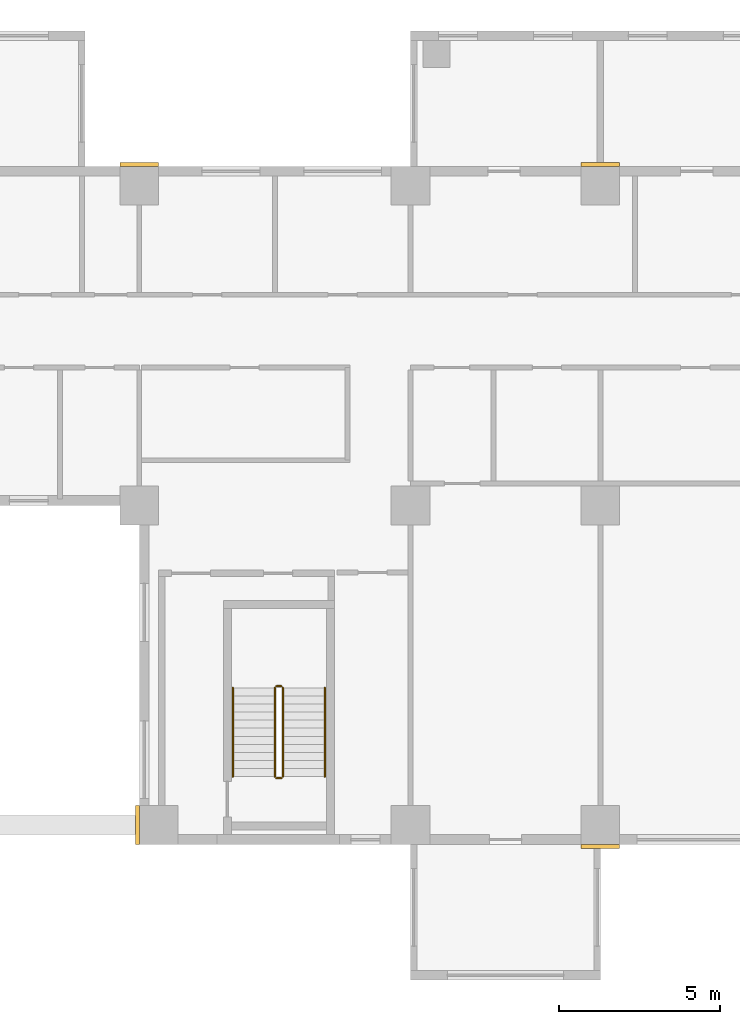
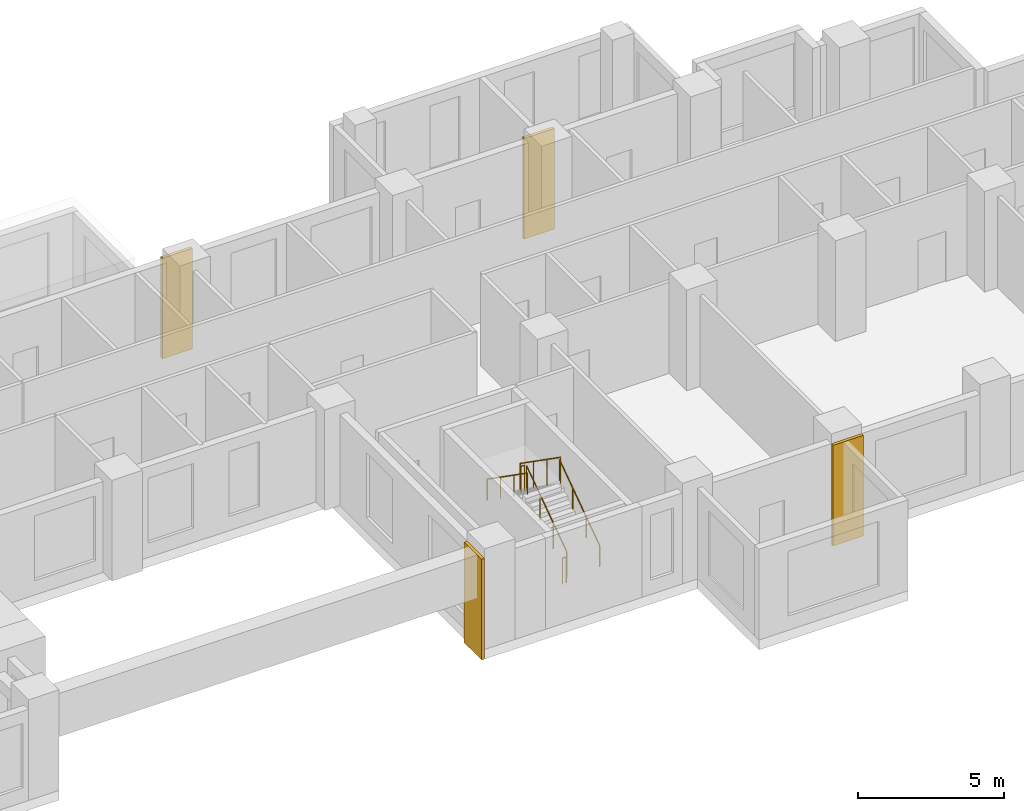
# One storey, part 12 of 14: 6 railings, 4 coverings.
"""IFC4 building model written with IfcOpenShell, lengths in metres."""

from ifc_helpers import new_model, si_unit, direction, frame, origin, origin_2d, place, context, subcontext, project, spatial, rectangle, circle, extrude, source, transform, mapped, material, type_object, element, save


model = new_model("IFC4")

# Units and contexts
model_context = context("Model", 3, precision=1e-05, world=origin(), true_north=direction((0.0, 1.0)))
body_context = subcontext(model_context, "Body", "Model", "MODEL_VIEW")
ifc_project = project(units=[si_unit("LENGTHUNIT", "METRE"), si_unit("AREAUNIT", "SQUARE_METRE"), si_unit("VOLUMEUNIT", "CUBIC_METRE"), si_unit("PLANEANGLEUNIT", "RADIAN"), si_unit("MASSUNIT", "GRAM", prefix="KILO")], contexts=[model_context])

# Site, building, storey
site_placement = place(None, origin())
site = spatial("IfcSite", under=ifc_project, at=site_placement, CompositionType="ELEMENT")
building_placement = place(site_placement, origin())
building = spatial("IfcBuilding", under=site, at=building_placement, Name="Aurelian Terraces", CompositionType="ELEMENT")
storey_placement = place(building_placement, frame((0.0, 0.0, 57.3)))
storey = spatial("IfcBuildingStorey", under=building, at=storey_placement, Name="L11", CompositionType="ELEMENT", Elevation=57.3)

# Coverings
ifc_material_1 = material(Name="Terracotta rainscreen cladding relief", Category="masonry")
covering_type = type_object("IfcCoveringType", Name="BAGUETTE-TC", PredefinedType="CLADDING", material=ifc_material_1)
shared_shape_1 = source(origin(), body_context, "Body", "SweptSolid", [
    extrude(rectangle(XDim=1.2, YDim=0.12, at=origin_2d()), origin(), (0.0, 0.0, 1.0), 4.2),
])
for number, where, z_axis, x_axis, name in (
    (1, (52.08, -0.06, -0.4), (0.0, 0.0, 1.0), (1.0, 0.0, 0.0), "BAGUETTE pier L11 3"),
    (2, (37.8, 21.06, -0.4), (0.0, 0.0, 1.0), (1.0, 0.0, 0.0), "BAGUETTE pier L11 5"),
    (3, (52.08, 21.06, -0.4), (0.0, 0.0, 1.0), (1.0, 0.0, 0.0), "BAGUETTE pier L11 6"),
):
    element("IfcCovering", number, at=place(storey_placement, frame(where, z_axis=z_axis, x_axis=x_axis)), inside=storey, type_object=covering_type, Name=name, PredefinedType="CLADDING", context=body_context, shape_type="MappedRepresentation", body=[
        mapped(shared_shape_1, transform((0.0, 0.0, 0.0), scale=1.0)),
    ])
shared_shape_2 = source(origin(), body_context, "Body", "SweptSolid", [
    extrude(rectangle(XDim=0.12, YDim=1.2, at=origin_2d()), origin(), (0.0, 0.0, 1.0), 4.2),
])
covering_placement = place(storey_placement, frame((37.74, 0.6, -0.4), z_axis=(0.0, 0.0, 1.0), x_axis=(1.0, 0.0, 0.0)))
element("IfcCovering", 4, at=covering_placement, inside=storey, type_object=covering_type, Name="BAGUETTE pier L11 2", PredefinedType="CLADDING", context=body_context, shape_type="MappedRepresentation", body=[
    mapped(shared_shape_2, transform((0.0, 0.0, 0.0), scale=1.0)),
])

# Railings
ifc_material_2 = material(Name="Stainless steel", Category="steel")
railing_type_1 = type_object("IfcRailingType", Name="Stair guard 1100", PredefinedType="GUARDRAIL", material=ifc_material_2)
shared_shape_3 = source(origin(), body_context, "Body", "SweptSolid", [
    extrude(circle(Radius=0.024, at=origin_2d()), frame((0.0, 0.0, 1.076), z_axis=(-1.0, 0.0, 0.0), x_axis=(0.0, -1.0, 0.0)), (0.0, 0.0, 1.0), 0.15),
    extrude(circle(Radius=0.021, at=origin_2d()), origin(), (0.0, 0.0, 1.0), 1.052),
    extrude(circle(Radius=0.021, at=origin_2d()), frame((-0.15, 0.0, 0.0)), (0.0, 0.0, 1.0), 1.052),
])
for number, where, name in (
    (5, (42.2, 4.9, 2.1), "L11 S2 stair guard 2"),
    (6, (42.2, 2.05, 0.0), "L11 S2 stair guard 4"),
):
    element("IfcRailing", number, at=place(storey_placement, frame(where)), inside=storey, type_object=railing_type_1, Name=name, PredefinedType="GUARDRAIL", context=body_context, shape_type="MappedRepresentation", body=[
        mapped(shared_shape_3, transform((0.0, 0.0, 0.0), scale=1.0)),
    ])
shared_shape_4 = source(origin(), body_context, "Body", "SweptSolid", [
    extrude(circle(Radius=0.024, at=origin_2d()), frame((0.0, 0.0, 1.076), z_axis=(0.0, 0.819231920519, 0.573462344363), x_axis=(-1.0, 0.0, 0.0)), (0.0, 0.0, 1.0), 3.3568),
    extrude(circle(Radius=0.021, at=origin_2d()), origin(), (0.0, 0.0, 1.0), 1.052),
    extrude(circle(Radius=0.021, at=origin_2d()), frame((0.0, 0.9167, 0.6417)), (0.0, 0.0, 1.0), 1.052),
    extrude(circle(Radius=0.021, at=origin_2d()), frame((0.0, 1.8333, 1.2833)), (0.0, 0.0, 1.0), 1.052),
    extrude(circle(Radius=0.021, at=origin_2d()), frame((0.0, 2.75, 1.925)), (0.0, 0.0, 1.0), 1.052),
])
railing_1_placement = place(storey_placement, frame((42.25, 2.1, 0.175)))
element("IfcRailing", 7, at=railing_1_placement, inside=storey, type_object=railing_type_1, Name="L11 S2 stair guard 1", PredefinedType="GUARDRAIL", context=body_context, shape_type="MappedRepresentation", body=[
    mapped(shared_shape_4, transform((0.0, 0.0, 0.0), scale=1.0)),
])
shared_shape_5 = source(origin(), body_context, "Body", "SweptSolid", [
    extrude(circle(Radius=0.024, at=origin_2d()), frame((0.0, 0.0, 1.076), z_axis=(0.0, -0.819231920519, 0.573462344363), x_axis=(1.0, 0.0, 0.0)), (0.0, 0.0, 1.0), 3.3568),
    extrude(circle(Radius=0.021, at=origin_2d()), origin(), (0.0, 0.0, 1.0), 1.052),
    extrude(circle(Radius=0.021, at=origin_2d()), frame((0.0, -0.9167, 0.6417)), (0.0, 0.0, 1.0), 1.052),
    extrude(circle(Radius=0.021, at=origin_2d()), frame((0.0, -1.8333, 1.2833)), (0.0, 0.0, 1.0), 1.052),
    extrude(circle(Radius=0.021, at=origin_2d()), frame((0.0, -2.75, 1.925)), (0.0, 0.0, 1.0), 1.052),
])
railing_2_placement = place(storey_placement, frame((42.0, 4.85, 2.275)))
element("IfcRailing", 8, at=railing_2_placement, inside=storey, type_object=railing_type_1, Name="L11 S2 stair guard 3", PredefinedType="GUARDRAIL", context=body_context, shape_type="MappedRepresentation", body=[
    mapped(shared_shape_5, transform((0.0, 0.0, 0.0), scale=1.0)),
])
railing_type_2 = type_object("IfcRailingType", Name="Stair handrail", PredefinedType="HANDRAIL", material=ifc_material_2)
shared_shape_6 = source(origin(), body_context, "Body", "SweptSolid", [
    extrude(circle(Radius=0.024, at=origin_2d()), frame((0.0, 0.0, 0.876), z_axis=(0.0, 0.819231920519, 0.573462344363), x_axis=(-1.0, 0.0, 0.0)), (0.0, 0.0, 1.0), 3.3568),
    extrude(circle(Radius=0.021, at=origin_2d()), origin(), (0.0, 0.0, 1.0), 0.852),
    extrude(circle(Radius=0.021, at=origin_2d()), frame((0.0, 0.9167, 0.6417)), (0.0, 0.0, 1.0), 0.852),
    extrude(circle(Radius=0.021, at=origin_2d()), frame((0.0, 1.8333, 1.2833)), (0.0, 0.0, 1.0), 0.852),
    extrude(circle(Radius=0.021, at=origin_2d()), frame((0.0, 2.75, 1.925)), (0.0, 0.0, 1.0), 0.852),
])
railing_3_placement = place(storey_placement, frame((43.55, 2.1, 0.175)))
element("IfcRailing", 9, at=railing_3_placement, inside=storey, type_object=railing_type_2, Name="L11 S2 stair handrail 1", PredefinedType="HANDRAIL", context=body_context, shape_type="MappedRepresentation", body=[
    mapped(shared_shape_6, transform((0.0, 0.0, 0.0), scale=1.0)),
])
shared_shape_7 = source(origin(), body_context, "Body", "SweptSolid", [
    extrude(circle(Radius=0.024, at=origin_2d()), frame((0.0, 0.0, 0.876), z_axis=(0.0, -0.819231920519, 0.573462344363), x_axis=(1.0, 0.0, 0.0)), (0.0, 0.0, 1.0), 3.3568),
    extrude(circle(Radius=0.021, at=origin_2d()), origin(), (0.0, 0.0, 1.0), 0.852),
    extrude(circle(Radius=0.021, at=origin_2d()), frame((0.0, -0.9167, 0.6417)), (0.0, 0.0, 1.0), 0.852),
    extrude(circle(Radius=0.021, at=origin_2d()), frame((0.0, -1.8333, 1.2833)), (0.0, 0.0, 1.0), 0.852),
    extrude(circle(Radius=0.021, at=origin_2d()), frame((0.0, -2.75, 1.925)), (0.0, 0.0, 1.0), 0.852),
])
railing_4_placement = place(storey_placement, frame((40.7, 4.85, 2.275)))
element("IfcRailing", 10, at=railing_4_placement, inside=storey, type_object=railing_type_2, Name="L11 S2 stair handrail 2", PredefinedType="HANDRAIL", context=body_context, shape_type="MappedRepresentation", body=[
    mapped(shared_shape_7, transform((0.0, 0.0, 0.0), scale=1.0)),
])

save(model, "model.ifc")
